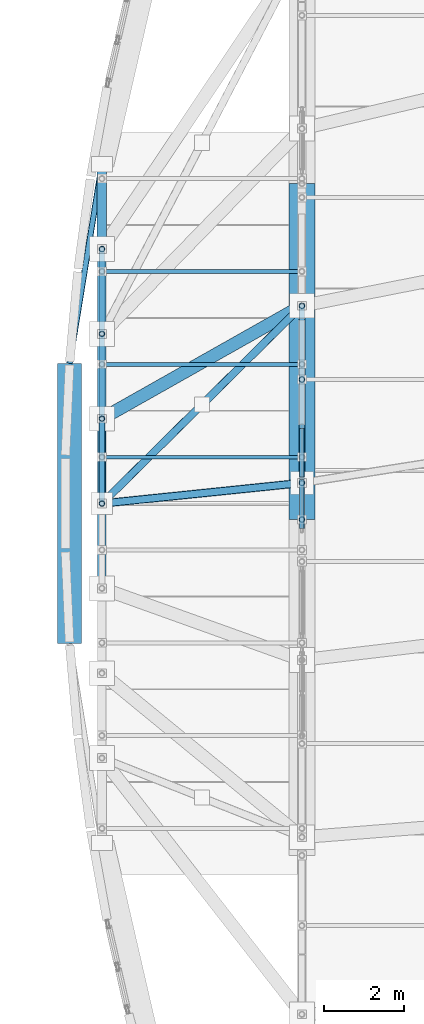
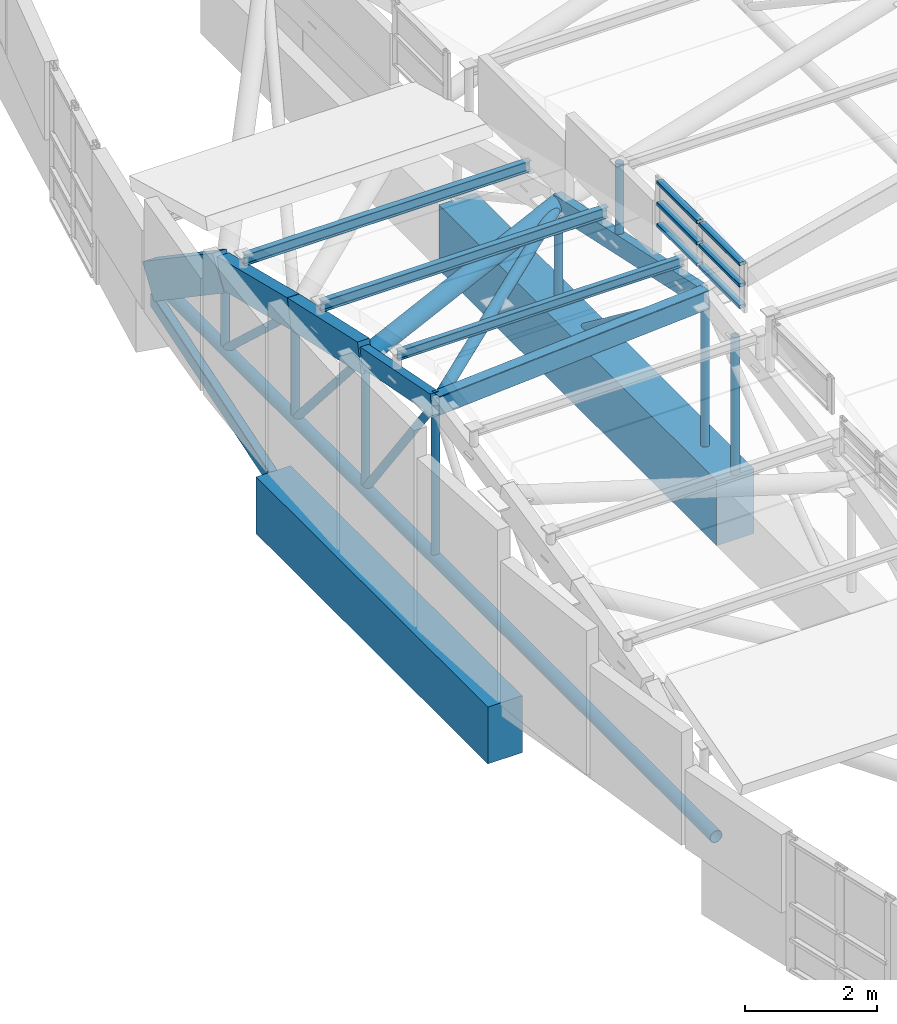
# One storey, part 81 of 188: 30 members, 3 beams, 1 element without a shape of its own.
"""IFC4 building model written with IfcOpenShell, lengths in metres."""

from ifc_helpers import new_model, si_unit, direction, frame, origin, origin_2d, place, context, subcontext, project, spatial, rectangle, hollow_rectangle, hollow_circle, i_section, extrude, material, layer, layer_set, material_profile, profile_set, type_object, element, aggregate, save


model = new_model("IFC4")

# Units and contexts
model_context = context("Model", 3, precision=1e-05, world=origin(), true_north=direction((0.0, 1.0)))
body_context = subcontext(model_context, "Body", "Model", "MODEL_VIEW")
ifc_project = project(units=[si_unit("LENGTHUNIT", "METRE"), si_unit("AREAUNIT", "SQUARE_METRE"), si_unit("VOLUMEUNIT", "CUBIC_METRE"), si_unit("PLANEANGLEUNIT", "RADIAN"), si_unit("MASSUNIT", "GRAM", prefix="KILO")], contexts=[model_context])

# Site, building, storey
site_placement = place(None, origin())
site = spatial("IfcSite", under=ifc_project, at=site_placement, CompositionType="ELEMENT")
building_placement = place(site_placement, origin())
building = spatial("IfcBuilding", under=site, at=building_placement, Name="Kisaragi Civic Commons", CompositionType="ELEMENT")
storey_placement = place(building_placement, frame((0.0, 0.0, 9.60009765625)))
storey = spatial("IfcBuildingStorey", under=building, at=storey_placement, Name="L02", CompositionType="ELEMENT", Elevation=9.60009765625)

# Member
ifc_material_1 = material(Name="Steel SN400 (SN400B)", Category="steel")
ifc_material_profile_1 = material_profile(ifc_material_1, hollow_circle(Radius=0.095458984375, WallThickness=0.006103515625, at=origin_2d()), Name="CHS-190.7x6.0", Category="steel")
ifc_profile_set_1 = profile_set([ifc_material_profile_1], Name="Steel SN400 (SN400B)")
member_type_1 = type_object("IfcMemberType", Name="BR-06", PredefinedType="BRACE", material=ifc_profile_set_1)
member_1_placement = place(storey_placement, frame((1.800048828125, 96.39990234375, 2.77099609375), z_axis=(0.703128302152, 0.695334839038, -0.148728115475), x_axis=(-0.703155243202, 0.711036359097, 0.0)))
element("IfcMember", 1, at=member_1_placement, inside=storey, type_object=member_type_1, Name="V2 roof wind brace 2", PredefinedType="BRACE", context=body_context, shape_type="SweptSolid", body=[
    extrude(hollow_circle(Radius=0.095458984375, WallThickness=0.006103515625, at=origin_2d()), origin(), (0.0, 0.0, 1.0), 7.111083984375),
])

# Curtain wall, members
ifc_material_2 = material(Name="Thermally broken anodized aluminium and low-E double glazing", Category="aluminium")
ifc_layer = layer(ifc_material_2, 0.14990234375, Name="Thermally broken anodized aluminium and low-E double glazing", Category="aluminium")
ifc_layer_set = layer_set([ifc_layer], Name="Thermally broken anodized aluminium and low-E double glazing")
curtain_wall_type = type_object("IfcCurtainWallType", Name="CW-03", PredefinedType="NOTDEFINED", material=ifc_layer_set)
curtain_wall_placement = place(storey_placement, origin())
curtain_wall = element("IfcCurtainWall", 2, at=curtain_wall_placement, inside=storey, type_object=curtain_wall_type, Name="L02 curtain wall CW-03 CW-CL-V2-177", PredefinedType="NOTDEFINED")
ifc_material_profile_2 = material_profile(ifc_material_2, hollow_rectangle(XDim=0.1201171875, YDim=0.06005859375, WallThickness=0.00390625, InnerFilletRadius=0.00390625, OuterFilletRadius=0.008056640625, at=origin_2d()), Name="CWT-60x120x4", Category="aluminium")
ifc_profile_set_2 = profile_set([ifc_material_profile_2], Name="Thermally broken anodized aluminium and low-E double glazing")
member_type_2 = type_object("IfcMemberType", Name="CWT-01", PredefinedType="USERDEFINED", material=ifc_profile_set_2)
member_2_placement = place(storey_placement, frame((6.800048828125, 95.779296875, 3.193603515625), z_axis=(0.0, 1.0, 0.0), x_axis=(-1.0, 0.0, 0.0)))
member_2 = element("IfcMember", 3, at=member_2_placement, type_object=member_type_2, Name="CW-03 transom 1.1", ObjectType="TRANSOM", PredefinedType="USERDEFINED", context=body_context, shape_type="SweptSolid", body=[
    extrude(hollow_rectangle(XDim=0.1201171875, YDim=0.06005859375, WallThickness=0.00390625, InnerFilletRadius=0.00390625, OuterFilletRadius=0.008056640625, at=origin_2d()), origin(), (0.0, 0.0, 1.0), 1.22119140625),
])
member_3_placement = place(storey_placement, frame((6.800048828125, 95.779296875, 3.587158203125), z_axis=(0.0, 1.0, 0.0), x_axis=(-1.0, 0.0, 0.0)))
member_3 = element("IfcMember", 4, at=member_3_placement, type_object=member_type_2, Name="CW-03 transom 1.2", ObjectType="TRANSOM", PredefinedType="USERDEFINED", context=body_context, shape_type="SweptSolid", body=[
    extrude(hollow_rectangle(XDim=0.1201171875, YDim=0.06005859375, WallThickness=0.00390625, InnerFilletRadius=0.00390625, OuterFilletRadius=0.008056640625, at=origin_2d()), origin(), (0.0, 0.0, 1.0), 1.22119140625),
])
member_4_placement = place(storey_placement, frame((6.800048828125, 95.779296875, 3.98046875), z_axis=(0.0, 1.0, 0.0), x_axis=(-1.0, 0.0, 0.0)))
member_4 = element("IfcMember", 5, at=member_4_placement, type_object=member_type_2, Name="CW-03 transom 1.3", ObjectType="TRANSOM", PredefinedType="USERDEFINED", context=body_context, shape_type="SweptSolid", body=[
    extrude(hollow_rectangle(XDim=0.1201171875, YDim=0.06005859375, WallThickness=0.00390625, InnerFilletRadius=0.00390625, OuterFilletRadius=0.008056640625, at=origin_2d()), origin(), (0.0, 0.0, 1.0), 1.22119140625),
])
member_5_placement = place(storey_placement, frame((6.800048828125, 97.060546875, 3.193603515625), z_axis=(0.0, 1.0, 0.0), x_axis=(-1.0, 0.0, 0.0)))
member_5 = element("IfcMember", 6, at=member_5_placement, type_object=member_type_2, Name="CW-03 transom 2.1", ObjectType="TRANSOM", PredefinedType="USERDEFINED", context=body_context, shape_type="SweptSolid", body=[
    extrude(hollow_rectangle(XDim=0.1201171875, YDim=0.06005859375, WallThickness=0.00390625, InnerFilletRadius=0.00390625, OuterFilletRadius=0.008056640625, at=origin_2d()), origin(), (0.0, 0.0, 1.0), 1.220947265625),
])
member_6_placement = place(storey_placement, frame((6.800048828125, 97.060546875, 3.587158203125), z_axis=(0.0, 1.0, 0.0), x_axis=(-1.0, 0.0, 0.0)))
member_6 = element("IfcMember", 7, at=member_6_placement, type_object=member_type_2, Name="CW-03 transom 2.2", ObjectType="TRANSOM", PredefinedType="USERDEFINED", context=body_context, shape_type="SweptSolid", body=[
    extrude(hollow_rectangle(XDim=0.1201171875, YDim=0.06005859375, WallThickness=0.00390625, InnerFilletRadius=0.00390625, OuterFilletRadius=0.008056640625, at=origin_2d()), origin(), (0.0, 0.0, 1.0), 1.220947265625),
])
member_7_placement = place(storey_placement, frame((6.800048828125, 97.060546875, 3.98046875), z_axis=(0.0, 1.0, 0.0), x_axis=(-1.0, 0.0, 0.0)))
member_7 = element("IfcMember", 8, at=member_7_placement, type_object=member_type_2, Name="CW-03 transom 2.3", ObjectType="TRANSOM", PredefinedType="USERDEFINED", context=body_context, shape_type="SweptSolid", body=[
    extrude(hollow_rectangle(XDim=0.1201171875, YDim=0.06005859375, WallThickness=0.00390625, InnerFilletRadius=0.00390625, OuterFilletRadius=0.008056640625, at=origin_2d()), origin(), (0.0, 0.0, 1.0), 1.220947265625),
])
aggregate(curtain_wall, [member_2, member_3, member_4, member_5, member_6, member_7])

# Beams
ifc_material_3 = material(Name="Concrete Fc36", Category="concrete")
ifc_material_profile_3 = material_profile(ifc_material_3, rectangle(XDim=0.60009765625, YDim=1.050048828125, at=origin_2d()), Name="RC-600x1050", Category="concrete")
ifc_profile_set_3 = profile_set([ifc_material_profile_3], Name="Concrete Fc36")
beam_type_1 = type_object("IfcBeamType", Name="G-06", PredefinedType="BEAM", material=ifc_profile_set_3)
beam_1_placement = place(storey_placement, frame((0.9912109375, 99.9033203125, -0.84521484375), z_axis=(0.0, -1.0, 0.0), x_axis=(1.0, 0.0, 0.0)))
element("IfcBeam", 9, at=beam_1_placement, inside=storey, type_object=beam_type_1, Name="L02 curved spandrel/ring girder G-06 279", PredefinedType="BEAM", context=body_context, shape_type="SweptSolid", body=[
    extrude(rectangle(XDim=0.60009765625, YDim=1.050048828125, at=origin_2d()), origin(), (0.0, 0.0, 1.0), 7.0068359375),
])
ifc_material_profile_4 = material_profile(ifc_material_3, rectangle(XDim=0.64990234375, YDim=1.199951171875, at=origin_2d()), Name="RC-650x1200", Category="concrete")
ifc_profile_set_4 = profile_set([ifc_material_profile_4], Name="Concrete Fc36")
beam_type_2 = type_object("IfcBeamType", Name="G-07", PredefinedType="BEAM", material=ifc_profile_set_4)
beam_2_placement = place(storey_placement, frame((6.800048828125, 96.0, -0.650146484375), z_axis=(0.0, 1.0, 0.0), x_axis=(-1.0, 0.0, 0.0)))
element("IfcBeam", 10, at=beam_2_placement, inside=storey, type_object=beam_type_2, Name="V2 arch transfer RC girder G-07 R1", PredefinedType="BEAM", context=body_context, shape_type="SweptSolid", body=[
    extrude(rectangle(XDim=0.64990234375, YDim=1.199951171875, at=origin_2d()), origin(), (0.0, 0.0, 1.0), 8.39990234375),
])

# Members
ifc_material_4 = material(Name="Steel SN490 (SN490B)", Category="steel")
ifc_material_profile_5 = material_profile(ifc_material_4, hollow_circle(Radius=0.1591796875, WallThickness=0.01025390625, at=origin_2d()), Name="CHS-318.5x10.3", Category="steel")
ifc_profile_set_5 = profile_set([ifc_material_profile_5], Name="Steel SN490 (SN490B)")
member_type_3 = type_object("IfcMemberType", Name="GC-03", PredefinedType="CHORD", material=ifc_profile_set_5)
member_8_placement = place(storey_placement, frame((1.800048828125, 98.52099609375, 2.35595703125), z_axis=(0.865355250603, 0.48866374381, -0.111211670878), x_axis=(-0.49171397248, 0.870756779628, 0.0)))
element("IfcMember", 11, at=member_8_placement, inside=storey, type_object=member_type_3, Name="V2 wave gridshell chord GC-03 5", PredefinedType="CHORD", context=body_context, shape_type="SweptSolid", body=[
    extrude(hollow_circle(Radius=0.1591796875, WallThickness=0.01025390625, at=origin_2d()), origin(), (0.0, 0.0, 1.0), 5.778076171875),
])
ifc_material_profile_6 = material_profile(ifc_material_4, hollow_rectangle(XDim=0.199951171875, YDim=0.35009765625, WallThickness=0.009033203125, InnerFilletRadius=0.009033203125, OuterFilletRadius=0.01806640625, at=origin_2d()), Name="STKR-350x200x9", Category="steel")
ifc_profile_set_6 = profile_set([ifc_material_profile_6], Name="Steel SN490 (SN490B)")
member_type_4 = type_object("IfcMemberType", Name="GC-04", PredefinedType="CHORD", material=ifc_profile_set_6)
member_9_placement = place(storey_placement, frame((1.800048828125, 96.39990234375, 2.77099609375), z_axis=(0.994527479143, 0.102560646287, -0.019909973948), x_axis=(-0.102580980214, 0.994724656625, 0.0)))
element("IfcMember", 12, at=member_9_placement, inside=storey, type_object=member_type_4, Name="V2 wave gridshell chord GC-04 4", PredefinedType="CHORD", context=body_context, shape_type="SweptSolid", body=[
    extrude(hollow_rectangle(XDim=0.199951171875, YDim=0.35009765625, WallThickness=0.009033203125, InnerFilletRadius=0.009033203125, OuterFilletRadius=0.01806640625, at=origin_2d()), origin(), (0.0, 0.0, 1.0), 5.027587890625),
])
ifc_material_5 = material(Name="Glulam E120-F330", Category="wood")
ifc_material_profile_7 = material_profile(ifc_material_5, rectangle(XDim=0.239990234375, YDim=0.6298828125, at=origin_2d()), Name="GL-240x630", Category="wood")
ifc_profile_set_7 = profile_set([ifc_material_profile_7], Name="Glulam E120-F330")
member_type_5 = type_object("IfcMemberType", Name="GR-03", PredefinedType="RAFTER", material=ifc_profile_set_7)
member_10_placement = place(storey_placement, frame((1.800048828125, 102.7626953125, 1.359619140625), z_axis=(0.0, 0.827406233638, -0.561603885792), x_axis=(-1.0, 0.0, 0.0)))
element("IfcMember", 13, at=member_10_placement, inside=storey, type_object=member_type_5, Name="V2 glulam arch rib GR-03 8", PredefinedType="RAFTER", context=body_context, shape_type="SweptSolid", body=[
    extrude(rectangle(XDim=0.239990234375, YDim=0.6298828125, at=origin_2d()), origin(), (0.0, 0.0, 1.0), 2.5634765625),
])
ifc_material_profile_8 = material_profile(ifc_material_5, rectangle(XDim=0.2099609375, YDim=0.5400390625, at=origin_2d()), Name="GL-210x540", Category="wood")
ifc_profile_set_8 = profile_set([ifc_material_profile_8], Name="Glulam E120-F330")
member_type_6 = type_object("IfcMemberType", Name="GR-04", PredefinedType="RAFTER", material=ifc_profile_set_8)
member_11_placement = place(storey_placement, frame((1.800048828125, 98.52099609375, 2.35595703125), z_axis=(0.0, 0.976292718715, -0.216454446442), x_axis=(-1.0, 0.0, 0.0)))
element("IfcMember", 14, at=member_11_placement, inside=storey, type_object=member_type_6, Name="V2 glulam arch rib GR-04 6", PredefinedType="RAFTER", context=body_context, shape_type="SweptSolid", body=[
    extrude(rectangle(XDim=0.2099609375, YDim=0.5400390625, at=origin_2d()), origin(), (0.0, 0.0, 1.0), 2.17236328125),
])
member_12_placement = place(storey_placement, frame((1.800048828125, 100.641845703125, 1.8857421875), z_axis=(0.0, 0.970581241023, -0.240773866053), x_axis=(-1.0, 0.0, 0.0)))
element("IfcMember", 15, at=member_12_placement, inside=storey, type_object=member_type_6, Name="V2 glulam arch rib GR-04 7", PredefinedType="RAFTER", context=body_context, shape_type="SweptSolid", body=[
    extrude(rectangle(XDim=0.2099609375, YDim=0.5400390625, at=origin_2d()), origin(), (0.0, 0.0, 1.0), 2.18505859375),
])
ifc_material_profile_9 = material_profile(ifc_material_5, rectangle(XDim=0.14990234375, YDim=0.360107421875, at=origin_2d()), Name="GL-150x360", Category="wood")
ifc_profile_set_9 = profile_set([ifc_material_profile_9], Name="Glulam E120-F330")
member_type_7 = type_object("IfcMemberType", Name="GR-06", PredefinedType="RAFTER", material=ifc_profile_set_9)
member_13_placement = place(storey_placement, frame((1.800048828125, 96.39990234375, 2.77099609375), z_axis=(0.0, 0.981388952785, -0.192030527133), x_axis=(-1.0, 0.0, 0.0)))
element("IfcMember", 16, at=member_13_placement, inside=storey, type_object=member_type_7, Name="V2 glulam arch rib GR-06 5", PredefinedType="RAFTER", context=body_context, shape_type="SweptSolid", body=[
    extrude(rectangle(XDim=0.14990234375, YDim=0.360107421875, at=origin_2d()), origin(), (0.0, 0.0, 1.0), 2.161376953125),
])
member_14_placement = place(storey_placement, frame((6.800048828125, 96.91552734375, 2.6708984375), z_axis=(0.0, 0.977418376303, -0.211313316347), x_axis=(-1.0, 0.0, 0.0)))
element("IfcMember", 17, at=member_14_placement, inside=storey, type_object=member_type_7, Name="V2 glulam arch rib GR-06 13", PredefinedType="RAFTER", context=body_context, shape_type="SweptSolid", body=[
    extrude(rectangle(XDim=0.14990234375, YDim=0.360107421875, at=origin_2d()), origin(), (0.0, 0.0, 1.0), 4.53125),
])

# Beam
ifc_material_6 = material(Name="Steel STKR400", Category="steel")
ifc_material_profile_10 = material_profile(ifc_material_6, hollow_rectangle(XDim=0.14990234375, YDim=0.25, WallThickness=0.009033203125, InnerFilletRadius=0.009033203125, OuterFilletRadius=0.01806640625, at=origin_2d()), Name="STKR-250x150x9", Category="steel")
ifc_profile_set_10 = profile_set([ifc_material_profile_10], Name="Steel STKR400")
beam_type_3 = type_object("IfcBeamType", Name="LN-02", PredefinedType="LINTEL", material=ifc_profile_set_10)
beam_3_placement = place(storey_placement, frame((1.800048828125, 104.8837890625, -0.445068359375), z_axis=(-0.160301786895, -0.987068050906, 0.0), x_axis=(0.987068050906, -0.160301786895, 0.0)))
element("IfcBeam", 18, at=beam_3_placement, inside=storey, type_object=beam_type_3, Name="L02 curved spandrel/ring girder LN-02 278", PredefinedType="LINTEL", context=body_context, shape_type="SweptSolid", body=[
    extrude(hollow_rectangle(XDim=0.14990234375, YDim=0.25, WallThickness=0.009033203125, InnerFilletRadius=0.009033203125, OuterFilletRadius=0.01806640625, at=origin_2d()), origin(), (0.0, 0.0, 1.0), 5.045654296875),
])

# Members
ifc_material_profile_11 = material_profile(ifc_material_1, i_section(OverallWidth=0.10009765625, OverallDepth=0.199951171875, WebThickness=0.005615234375, FlangeThickness=0.008056640625, FilletRadius=0.008056640625, at=origin_2d()), Name="H-200x100x5.5x8", Category="steel")
ifc_profile_set_11 = profile_set([ifc_material_profile_11], Name="Steel SN400 (SN400B)")
member_type_8 = type_object("IfcMemberType", Name="PR-02", PredefinedType="PURLIN", material=ifc_profile_set_11)
for number, where, z_axis, x_axis, name in (
    (19, (1.800048828125, 99.88134765625, 2.468017578125), (1.0, 0.0, 0.0), (0.0, 1.0, 0.0), "V2 wave vault steel purlin 6"),
    (20, (1.800048828125, 102.202392578125, 1.91845703125), (1.0, 0.0, 0.0), (0.0, 1.0, 0.0), "V2 wave vault steel purlin 7"),
):
    element("IfcMember", number, at=place(storey_placement, frame(where, z_axis=z_axis, x_axis=x_axis)), inside=storey, type_object=member_type_8, Name=name, PredefinedType="PURLIN", context=body_context, shape_type="SweptSolid", body=[
        extrude(i_section(OverallWidth=0.10009765625, OverallDepth=0.199951171875, WebThickness=0.005615234375, FlangeThickness=0.008056640625, FilletRadius=0.008056640625, at=origin_2d()), origin(), (0.0, 0.0, 1.0), 5.0),
    ])
ifc_material_profile_12 = material_profile(ifc_material_1, i_section(OverallWidth=0.090087890625, OverallDepth=0.175048828125, WebThickness=0.0048828125, FlangeThickness=0.008056640625, FilletRadius=0.008056640625, at=origin_2d()), Name="H-175x90x5x8", Category="steel")
ifc_profile_set_12 = profile_set([ifc_material_profile_12], Name="Steel SN400 (SN400B)")
member_type_9 = type_object("IfcMemberType", Name="PR-03", PredefinedType="PURLIN", material=ifc_profile_set_12)
member_15_placement = place(storey_placement, frame((1.800048828125, 97.560546875, 2.967041015625), z_axis=(1.0, 0.0, 0.0), x_axis=(0.0, 1.0, 0.0)))
element("IfcMember", 21, at=member_15_placement, inside=storey, type_object=member_type_9, Name="V2 wave vault steel purlin 5", PredefinedType="PURLIN", context=body_context, shape_type="SweptSolid", body=[
    extrude(i_section(OverallWidth=0.090087890625, OverallDepth=0.175048828125, WebThickness=0.0048828125, FlangeThickness=0.008056640625, FilletRadius=0.008056640625, at=origin_2d()), origin(), (0.0, 0.0, 1.0), 5.0),
])
ifc_material_profile_13 = material_profile(ifc_material_4, hollow_circle(Radius=0.06982421875, WallThickness=0.006103515625, at=origin_2d()), Name="CHS-139.8x6.0", Category="steel")
ifc_profile_set_13 = profile_set([ifc_material_profile_13], Name="Steel SN490 (SN490B)")
member_type_10 = type_object("IfcMemberType", Name="ST-H1", PredefinedType="STRUT", material=ifc_profile_set_13)
member_16_placement = place(storey_placement, frame((1.800048828125, 96.39990234375, -0.080078125), z_axis=(0.0, 0.0, 1.0), x_axis=(1.0, 0.0, 0.0)))
element("IfcMember", 22, at=member_16_placement, inside=storey, type_object=member_type_10, Name="V2 arch tie hanger strut 5", PredefinedType="STRUT", context=body_context, shape_type="SweptSolid", body=[
    extrude(hollow_circle(Radius=0.06982421875, WallThickness=0.006103515625, at=origin_2d()), origin(), (0.0, 0.0, 1.0), 2.85107421875),
])
member_17_placement = place(storey_placement, frame((1.800048828125, 98.52099609375, -0.080078125), z_axis=(0.0, 0.0, 1.0), x_axis=(1.0, 0.0, 0.0)))
element("IfcMember", 23, at=member_17_placement, inside=storey, type_object=member_type_10, Name="V2 arch tie hanger strut 6", PredefinedType="STRUT", context=body_context, shape_type="SweptSolid", body=[
    extrude(hollow_circle(Radius=0.06982421875, WallThickness=0.006103515625, at=origin_2d()), origin(), (0.0, 0.0, 1.0), 2.43603515625),
])
member_18_placement = place(storey_placement, frame((1.800048828125, 100.641845703125, -0.080078125), z_axis=(0.0, 0.0, 1.0), x_axis=(1.0, 0.0, 0.0)))
element("IfcMember", 24, at=member_18_placement, inside=storey, type_object=member_type_10, Name="V2 arch tie hanger strut 7", PredefinedType="STRUT", context=body_context, shape_type="SweptSolid", body=[
    extrude(hollow_circle(Radius=0.06982421875, WallThickness=0.006103515625, at=origin_2d()), origin(), (0.0, 0.0, 1.0), 1.9658203125),
])
member_19_placement = place(storey_placement, frame((1.800048828125, 102.7626953125, -0.080078125), z_axis=(0.0, 0.0, 1.0), x_axis=(1.0, 0.0, 0.0)))
element("IfcMember", 25, at=member_19_placement, inside=storey, type_object=member_type_10, Name="V2 arch tie hanger strut 8", PredefinedType="STRUT", context=body_context, shape_type="SweptSolid", body=[
    extrude(hollow_circle(Radius=0.06982421875, WallThickness=0.006103515625, at=origin_2d()), origin(), (0.0, 0.0, 1.0), 1.439697265625),
])
member_20_placement = place(storey_placement, frame((1.800048828125, 98.52099609375, -0.080078125), z_axis=(0.0, -0.596895595808, 0.80231891895), x_axis=(1.0, 0.0, 0.0)))
element("IfcMember", 26, at=member_20_placement, inside=storey, type_object=member_type_10, Name="V2 tied arch truss diagonal web strut 12", PredefinedType="STRUT", context=body_context, shape_type="SweptSolid", body=[
    extrude(hollow_circle(Radius=0.06982421875, WallThickness=0.006103515625, at=origin_2d()), origin(), (0.0, 0.0, 1.0), 3.553466796875),
])
member_21_placement = place(storey_placement, frame((1.800048828125, 100.641845703125, -0.080078125), z_axis=(0.0, -0.656629601113, 0.754213210533), x_axis=(1.0, 0.0, 0.0)))
element("IfcMember", 27, at=member_21_placement, inside=storey, type_object=member_type_10, Name="V2 tied arch truss diagonal web strut 13", PredefinedType="STRUT", context=body_context, shape_type="SweptSolid", body=[
    extrude(hollow_circle(Radius=0.06982421875, WallThickness=0.006103515625, at=origin_2d()), origin(), (0.0, 0.0, 1.0), 3.22998046875),
])
member_22_placement = place(storey_placement, frame((1.800048828125, 102.7626953125, -0.080078125), z_axis=(0.0, -0.733403604114, 0.679793463834), x_axis=(1.0, 0.0, 0.0)))
element("IfcMember", 28, at=member_22_placement, inside=storey, type_object=member_type_10, Name="V2 tied arch truss diagonal web strut 14", PredefinedType="STRUT", context=body_context, shape_type="SweptSolid", body=[
    extrude(hollow_circle(Radius=0.06982421875, WallThickness=0.006103515625, at=origin_2d()), origin(), (0.0, 0.0, 1.0), 2.891845703125),
])
member_23_placement = place(storey_placement, frame((6.800048828125, 96.91552734375, -0.69921875), z_axis=(0.0, 0.0, 1.0), x_axis=(1.0, 0.0, 0.0)))
element("IfcMember", 29, at=member_23_placement, inside=storey, type_object=member_type_10, Name="V2 arch tie hanger strut 20", PredefinedType="STRUT", context=body_context, shape_type="SweptSolid", body=[
    extrude(hollow_circle(Radius=0.06982421875, WallThickness=0.006103515625, at=origin_2d()), origin(), (0.0, 0.0, 1.0), 3.3701171875),
])
member_24_placement = place(storey_placement, frame((6.800048828125, 101.344482421875, -0.69921875), z_axis=(0.0, 0.0, 1.0), x_axis=(1.0, 0.0, 0.0)))
element("IfcMember", 30, at=member_24_placement, inside=storey, type_object=member_type_10, Name="V2 arch tie hanger strut 21", PredefinedType="STRUT", context=body_context, shape_type="SweptSolid", body=[
    extrude(hollow_circle(Radius=0.06982421875, WallThickness=0.006103515625, at=origin_2d()), origin(), (0.0, 0.0, 1.0), 2.41259765625),
])
member_25_placement = place(storey_placement, frame((6.800048828125, 101.344482421875, -0.69921875), z_axis=(0.0, -0.795806175368, 0.605551427417), x_axis=(1.0, 0.0, 0.0)))
element("IfcMember", 31, at=member_25_placement, inside=storey, type_object=member_type_10, Name="V2 tied arch truss diagonal web strut 27", PredefinedType="STRUT", context=body_context, shape_type="SweptSolid", body=[
    extrude(hollow_circle(Radius=0.06982421875, WallThickness=0.006103515625, at=origin_2d()), origin(), (0.0, 0.0, 1.0), 5.5654296875),
])
member_26_placement = place(storey_placement, frame((6.800048828125, 96.0, -0.02001953125), z_axis=(0.0, 0.0, 1.0), x_axis=(1.0, 0.0, 0.0)))
element("IfcMember", 32, at=member_26_placement, inside=storey, type_object=member_type_10, Name="V2 interior column arch support post (6.8,96.0)", PredefinedType="STRUT", context=body_context, shape_type="SweptSolid", body=[
    extrude(hollow_circle(Radius=0.06982421875, WallThickness=0.006103515625, at=origin_2d()), origin(), (0.0, 0.0, 1.0), 2.543701171875),
])
member_27_placement = place(storey_placement, frame((6.800048828125, 99.501220703125, 2.11181640625), z_axis=(0.0, 0.0, 1.0), x_axis=(1.0, 0.0, 0.0)))
element("IfcMember", 33, at=member_27_placement, inside=storey, type_object=member_type_10, Name="V2 clerestory monitor horizontal tie strut 2.1.5", PredefinedType="STRUT", context=body_context, shape_type="SweptSolid", body=[
    extrude(hollow_circle(Radius=0.06982421875, WallThickness=0.006103515625, at=origin_2d()), origin(), (0.0, 0.0, 1.0), 1.488037109375),
])
ifc_material_profile_14 = material_profile(ifc_material_4, hollow_circle(Radius=0.108154296875, WallThickness=0.008056640625, at=origin_2d()), Name="CHS-216.3x8.0", Category="steel")
ifc_profile_set_14 = profile_set([ifc_material_profile_14], Name="Steel SN490 (SN490B)")
member_type_11 = type_object("IfcMemberType", Name="ST-T2", PredefinedType="STRUT", material=ifc_profile_set_14)
member_28_placement = place(storey_placement, frame((1.800048828125, 87.916259765625, -0.080078125), z_axis=(0.0, 1.0, 0.0), x_axis=(-1.0, 0.0, 0.0)))
element("IfcMember", 34, at=member_28_placement, inside=storey, type_object=member_type_11, Name="V2 arch tension tie ST-T2 1", PredefinedType="STRUT", context=body_context, shape_type="SweptSolid", body=[
    extrude(hollow_circle(Radius=0.108154296875, WallThickness=0.008056640625, at=origin_2d()), origin(), (0.0, 0.0, 1.0), 16.967529296875),
])

save(model, "model.ifc")
